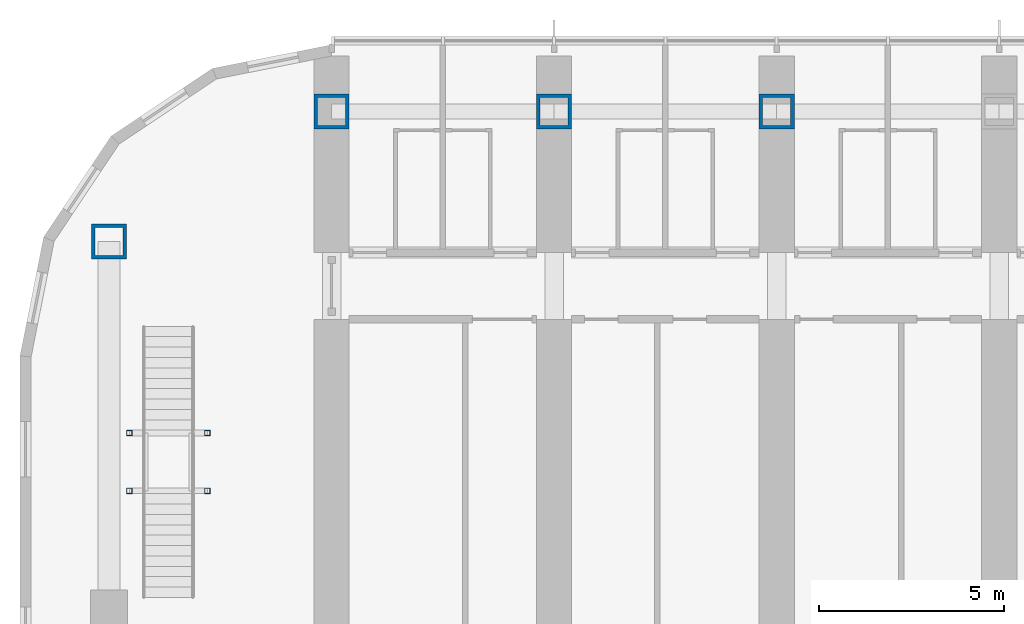
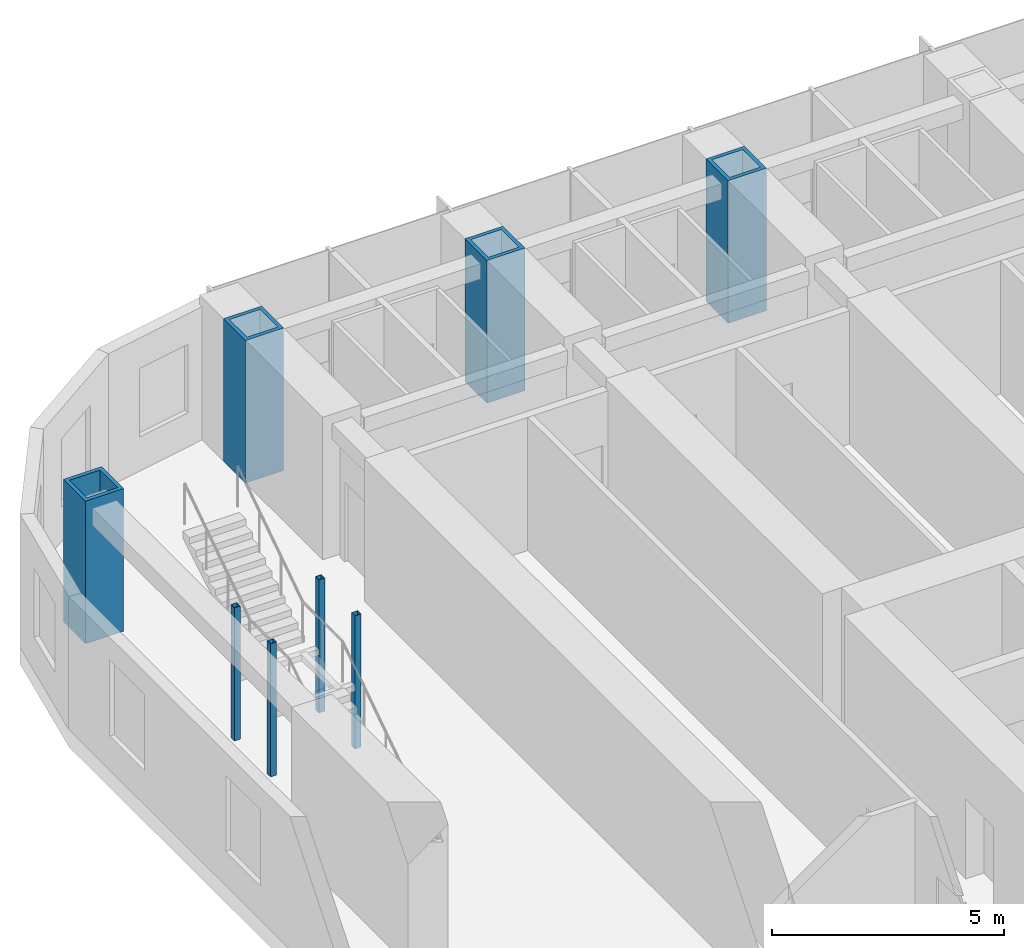
# One storey, part 2 of 26: 8 columns.
"""IFC4 building model written with IfcOpenShell, lengths in metres."""

from ifc_helpers import new_model, si_unit, direction, frame, origin, origin_2d, place, context, subcontext, project, spatial, hollow_rectangle, extrude, material, material_profile, profile_set, type_object, element, save


model = new_model("IFC4")

# Units and contexts
model_context = context("Model", 3, precision=1e-05, world=origin(), true_north=direction((0.0, 1.0)))
body_context = subcontext(model_context, "Body", "Model", "MODEL_VIEW")
ifc_project = project(units=[si_unit("LENGTHUNIT", "METRE"), si_unit("AREAUNIT", "SQUARE_METRE"), si_unit("VOLUMEUNIT", "CUBIC_METRE"), si_unit("PLANEANGLEUNIT", "RADIAN"), si_unit("MASSUNIT", "GRAM", prefix="KILO")], contexts=[model_context])

# Site, building, storey
site_placement = place(None, origin())
site = spatial("IfcSite", under=ifc_project, at=site_placement, CompositionType="ELEMENT")
building_placement = place(site_placement, origin())
building = spatial("IfcBuilding", under=site, at=building_placement, Name="Orbita Commons", CompositionType="ELEMENT")
storey_placement = place(building_placement, frame((0.0, 0.0, 114.39990234375)))
storey = spatial("IfcBuildingStorey", under=building, at=storey_placement, Name="L28", CompositionType="ELEMENT", Elevation=114.39990234375)

# Columns
ifc_material_1 = material(Name="Steel ASTM A992", Category="steel")
ifc_material_profile_1 = material_profile(ifc_material_1, hollow_rectangle(XDim=0.14990234375, YDim=0.14990234375, WallThickness=0.008056640625, at=origin_2d()), Name="SHS 150x150x8")
ifc_profile_set_1 = profile_set([ifc_material_profile_1], Name="Steel ASTM A992")
column_type_1 = type_object("IfcColumnType", Name="Landing post SHS 150x150x8", PredefinedType="COLUMN", material=ifc_profile_set_1)
for number, where, z_axis, x_axis, name in (
    (1, (6.550048828125, 43.375, 0.0), (0.0, 0.0, 1.0), (1.0, 0.0, 0.0), "Neighbourhood stair L28 to L29 landing post 1"),
    (2, (8.64990234375, 43.375, 0.0), (0.0, 0.0, 1.0), (1.0, 0.0, 0.0), "Neighbourhood stair L28 to L29 landing post 2"),
    (3, (6.550048828125, 44.93505859375, 0.0), (0.0, 0.0, 1.0), (1.0, 0.0, 0.0), "Neighbourhood stair L28 to L29 landing post 3"),
    (4, (8.64990234375, 44.93505859375, 0.0), (0.0, 0.0, 1.0), (1.0, 0.0, 0.0), "Neighbourhood stair L28 to L29 landing post 4"),
):
    element("IfcColumn", number, at=place(storey_placement, frame(where, z_axis=z_axis, x_axis=x_axis)), inside=storey, type_object=column_type_1, Name=name, PredefinedType="COLUMN", context=body_context, shape_type="SweptSolid", body=[
        extrude(hollow_rectangle(XDim=0.14990234375, YDim=0.14990234375, WallThickness=0.008056640625, at=origin_2d()), origin(), (0.0, 0.0, 1.0), 3.5),
    ])
ifc_material_2 = material(Name="Steel ASTM A572 Gr 50 welded plate", Category="steel")
ifc_material_profile_2 = material_profile(ifc_material_2, hollow_rectangle(XDim=0.949951171875, YDim=0.949951171875, WallThickness=0.094970703125, at=origin_2d()), Name="BOX 950x950x95")
ifc_profile_set_2 = profile_set([ifc_material_profile_2], Name="Steel ASTM A572 Gr 50 welded plate")
column_type_2 = type_object("IfcColumnType", Name="Steel column BOX 950x950x95", PredefinedType="COLUMN", material=ifc_profile_set_2)
for number, where, z_axis, x_axis, name in (
    (5, (12.0, 53.60009765625, 0.0), (0.0, 0.0, 1.0), (1.0, 0.0, 0.0), "Column 3/E L28"),
    (6, (18.0, 53.60009765625, 0.0), (0.0, 0.0, 1.0), (1.0, 0.0, 0.0), "Column 4/E L28"),
    (7, (24.0, 53.60009765625, 0.0), (0.0, 0.0, 1.0), (1.0, 0.0, 0.0), "Column 5/E L28"),
    (8, (6.0, 50.10009765625, 0.0), (0.0, 0.0, 1.0), (1.0, 0.0, 0.0), "Column 2/50.1 L28"),
):
    element("IfcColumn", number, at=place(storey_placement, frame(where, z_axis=z_axis, x_axis=x_axis)), inside=storey, type_object=column_type_2, Name=name, PredefinedType="COLUMN", context=body_context, shape_type="SweptSolid", body=[
        extrude(hollow_rectangle(XDim=0.949951171875, YDim=0.949951171875, WallThickness=0.094970703125, at=origin_2d()), origin(), (0.0, 0.0, 1.0), 3.75),
    ])

save(model, "model.ifc")
